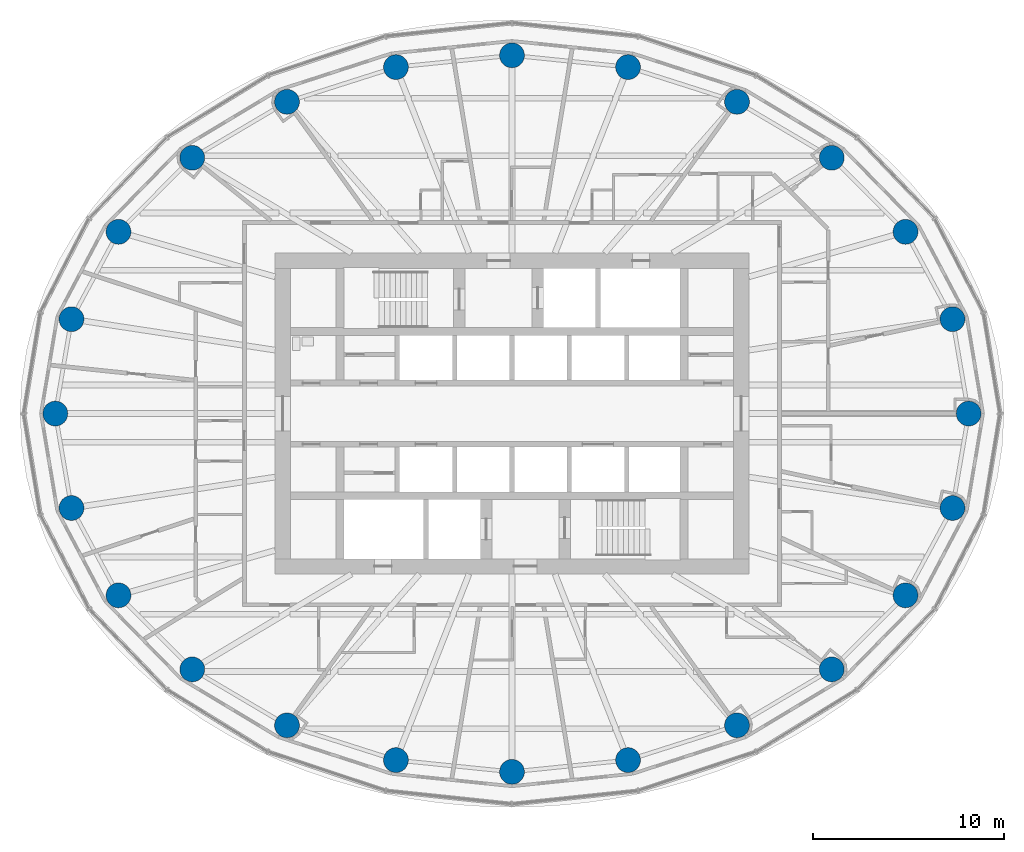
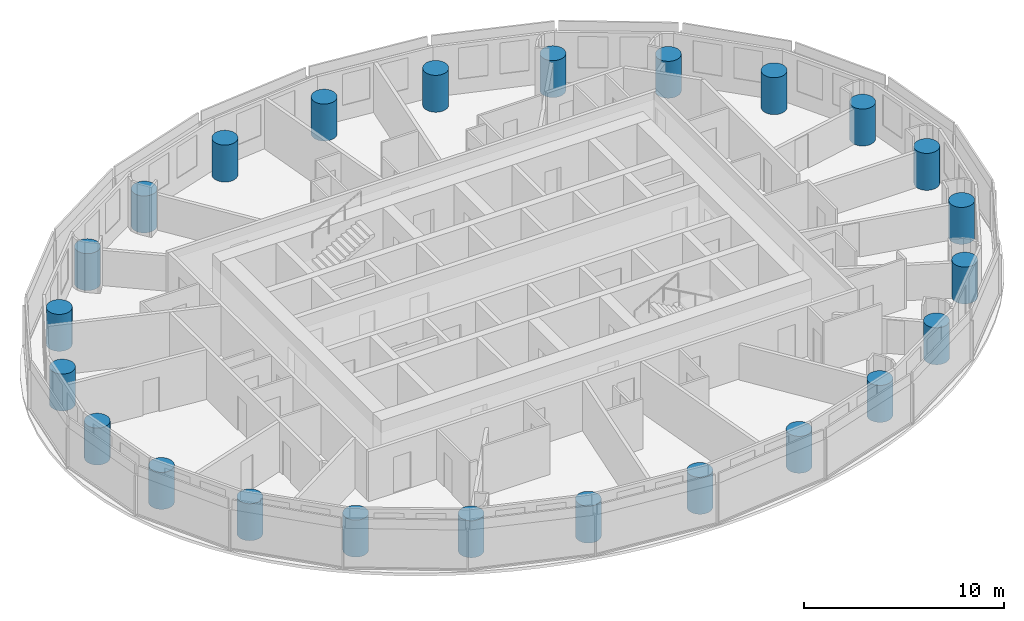
# One storey, part 1 of 14: 24 columns.
"""IFC4 building model written with IfcOpenShell, lengths in metres."""

from ifc_helpers import new_model, si_unit, direction, frame, origin, origin_2d, place, context, subcontext, project, spatial, circle, extrude, clip, halfspace, material, material_profile, profile_set, type_object, element, save


model = new_model("IFC4")

# Units and contexts
model_context = context("Model", 3, precision=1e-05, world=origin(), true_north=direction((0.0, 1.0)))
body_context = subcontext(model_context, "Body", "Model", "MODEL_VIEW")
ifc_project = project(units=[si_unit("LENGTHUNIT", "METRE"), si_unit("AREAUNIT", "SQUARE_METRE"), si_unit("VOLUMEUNIT", "CUBIC_METRE"), si_unit("PLANEANGLEUNIT", "RADIAN"), si_unit("MASSUNIT", "GRAM", prefix="KILO")], contexts=[model_context])

# Site, building, storey
site_placement = place(None, origin())
site = spatial("IfcSite", under=ifc_project, at=site_placement, CompositionType="ELEMENT")
building_placement = place(site_placement, origin())
building = spatial("IfcBuilding", under=site, at=building_placement, Name="Hankou Lantern Tower", CompositionType="ELEMENT")
storey_placement = place(building_placement, frame((0.0, 0.0, 135.300048828125)))
storey = spatial("IfcBuildingStorey", under=building, at=storey_placement, Name="L35", CompositionType="ELEMENT", Elevation=135.300048828125)

# Columns
ifc_material = material(Name="Concrete C60", Category="concrete")
ifc_material_profile = material_profile(ifc_material, circle(Radius=0.64990234375, at=origin_2d()), Name="RC D1300")
ifc_profile_set = profile_set([ifc_material_profile], Name="Concrete C60")
column_type = type_object("IfcColumnType", Name="TC3 PERIMETER COLUMN RC D1300", PredefinedType="COLUMN", material=ifc_profile_set)
for number, where, z_axis, x_axis, name in (
    (1, (23.89990234375, 0.0, 0.0), (0.0, 0.0, 1.0), (1.0, 0.0, 0.0), "Column R01 L35"),
    (2, (23.054931640625, 4.942138671875, 0.0), (0.0, 0.0, 1.0), (1.0, 0.0, 0.0), "Column R02 L35"),
    (3, (20.595703125, 9.5126953125, 0.0), (0.0, 0.0, 1.0), (1.0, 0.0, 0.0), "Column R03 L35"),
    (4, (16.73388671875, 13.38720703125, 0.0), (0.0, 0.0, 1.0), (1.0, 0.0, 0.0), "Column R04 L35"),
    (5, (11.775390625, 16.31640625, 0.0), (0.0, 0.0, 1.0), (1.0, 0.0, 0.0), "Column R05 L35"),
    (6, (6.073974609375, 18.134521484375, 0.0), (0.0, 0.0, 1.0), (1.0, 0.0, 0.0), "Column R06 L35"),
    (7, (0.0, 18.75, 0.0), (0.0, 0.0, 1.0), (1.0, 0.0, 0.0), "Column R07 L35"),
    (8, (-6.073974609375, 18.134521484375, 0.0), (0.0, 0.0, 1.0), (1.0, 0.0, 0.0), "Column R08 L35"),
    (9, (-11.775390625, 16.31640625, 0.0), (0.0, 0.0, 1.0), (1.0, 0.0, 0.0), "Column R09 L35"),
    (10, (-16.73388671875, 13.38720703125, 0.0), (0.0, 0.0, 1.0), (1.0, 0.0, 0.0), "Column R10 L35"),
    (11, (-20.595703125, 9.5126953125, 0.0), (0.0, 0.0, 1.0), (1.0, 0.0, 0.0), "Column R11 L35"),
    (12, (-23.054931640625, 4.942138671875, 0.0), (0.0, 0.0, 1.0), (1.0, 0.0, 0.0), "Column R12 L35"),
    (13, (-23.89990234375, 0.0, 0.0), (0.0, 0.0, 1.0), (1.0, 0.0, 0.0), "Column R13 L35"),
    (14, (-23.054931640625, -4.942138671875, 0.0), (0.0, 0.0, 1.0), (1.0, 0.0, 0.0), "Column R14 L35"),
    (15, (-20.595703125, -9.5126953125, 0.0), (0.0, 0.0, 1.0), (1.0, 0.0, 0.0), "Column R15 L35"),
    (16, (-16.73388671875, -13.38720703125, 0.0), (0.0, 0.0, 1.0), (1.0, 0.0, 0.0), "Column R16 L35"),
    (17, (-11.775390625, -16.31640625, 0.0), (0.0, 0.0, 1.0), (1.0, 0.0, 0.0), "Column R17 L35"),
    (18, (-6.073974609375, -18.134521484375, 0.0), (0.0, 0.0, 1.0), (1.0, 0.0, 0.0), "Column R18 L35"),
    (19, (0.0, -18.75, 0.0), (0.0, 0.0, 1.0), (1.0, 0.0, 0.0), "Column R19 L35"),
    (20, (6.073974609375, -18.134521484375, 0.0), (0.0, 0.0, 1.0), (1.0, 0.0, 0.0), "Column R20 L35"),
    (21, (11.775390625, -16.31640625, 0.0), (0.0, 0.0, 1.0), (1.0, 0.0, 0.0), "Column R21 L35"),
    (22, (16.73388671875, -13.38720703125, 0.0), (0.0, 0.0, 1.0), (1.0, 0.0, 0.0), "Column R22 L35"),
    (23, (20.595703125, -9.5126953125, 0.0), (0.0, 0.0, 1.0), (1.0, 0.0, 0.0), "Column R23 L35"),
    (24, (23.054931640625, -4.942138671875, 0.0), (0.0, 0.0, 1.0), (1.0, 0.0, 0.0), "Column R24 L35"),
):
    element("IfcColumn", number, at=place(storey_placement, frame(where, z_axis=z_axis, x_axis=x_axis)), inside=storey, type_object=column_type, Name=name, PredefinedType="COLUMN", context=body_context, shape_type="Clipping", body=[
        clip(extrude(circle(Radius=0.64990234375, at=origin_2d()), origin(), (0.0, 0.0, 1.0), 3.300048828125), halfspace(frame((0.0, 0.0, 2.25), z_axis=(0.0, 0.0, 1.0), x_axis=(1.0, 0.0, 0.0)), False)),
    ])

save(model, "model.ifc")
